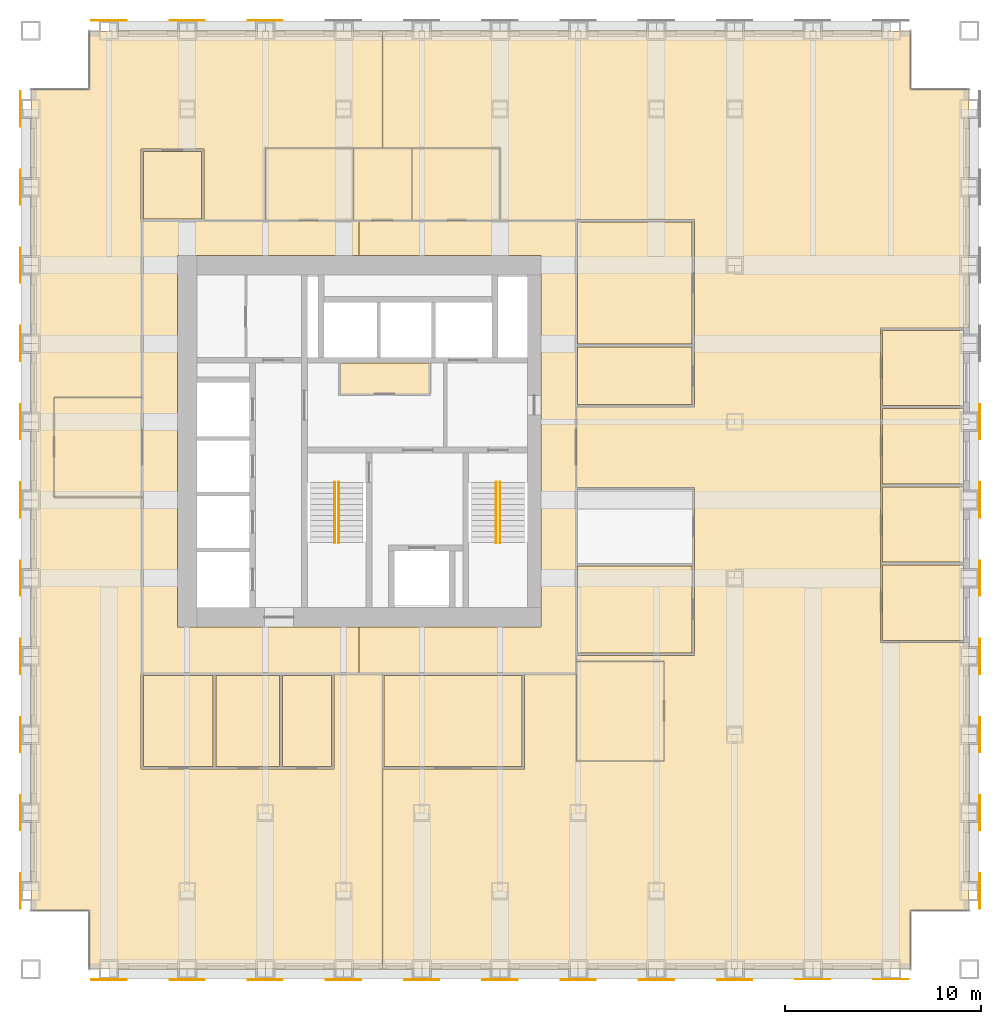
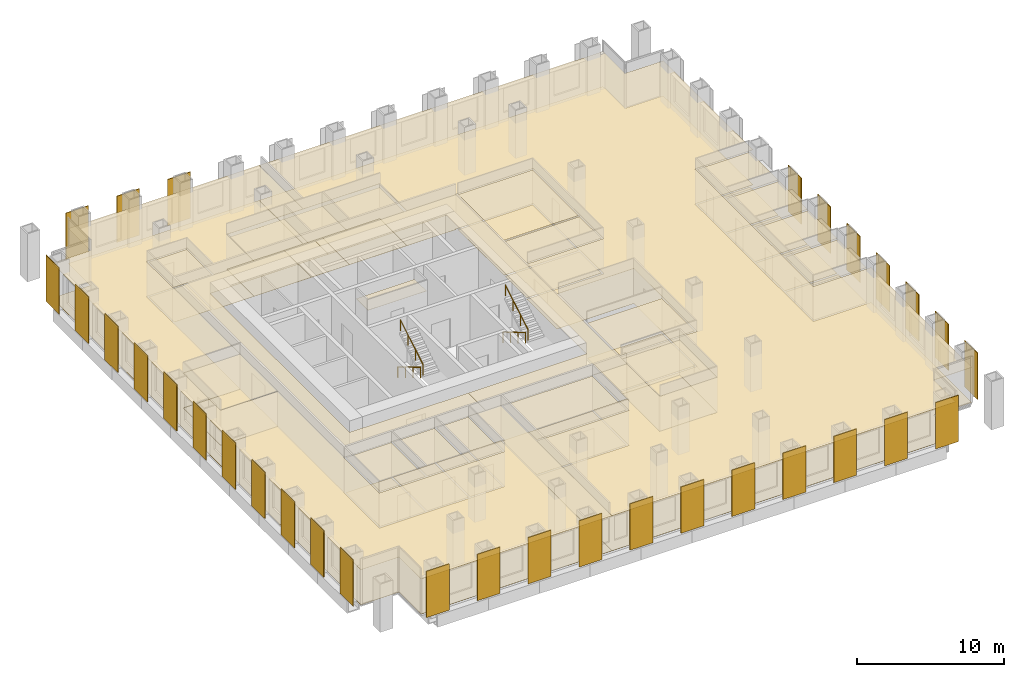
# One storey, part 15 of 16: 41 coverings, 32 shading devices, 4 railings.
"""IFC4 building model written with IfcOpenShell, lengths in metres."""

from ifc_helpers import new_model, si_unit, direction, frame, origin, origin_2d, place, context, subcontext, project, spatial, polyline, rectangle, circle, outline, extrude, material, layer, layer_set, type_object, element, save


model = new_model("IFC4")

# Units and contexts
model_context = context("Model", 3, precision=1e-05, world=origin(), true_north=direction((0.0, 1.0)))
body_context = subcontext(model_context, "Body", "Model", "MODEL_VIEW")
ifc_project = project(units=[si_unit("LENGTHUNIT", "METRE"), si_unit("AREAUNIT", "SQUARE_METRE"), si_unit("VOLUMEUNIT", "CUBIC_METRE"), si_unit("PLANEANGLEUNIT", "RADIAN"), si_unit("MASSUNIT", "GRAM", prefix="KILO")], contexts=[model_context])

# Site, building, storey
site_placement = place(None, origin())
site = spatial("IfcSite", under=ifc_project, at=site_placement, CompositionType="ELEMENT")
building_placement = place(site_placement, origin())
building = spatial("IfcBuilding", under=site, at=building_placement, Name="Rimbunsela Tower", CompositionType="ELEMENT")
storey_placement = place(building_placement, frame((0.0, 0.0, 85.39990234375)))
storey = spatial("IfcBuildingStorey", under=building, at=storey_placement, Name="L20", CompositionType="ELEMENT", Elevation=85.39990234375)

# Coverings
ifc_material_1 = material(Name="Nylon carpet tile", Category="textile")
ifc_layer_1 = layer(ifc_material_1, 0.010009765625)
ifc_layer_set_1 = layer_set([ifc_layer_1], Name="Carpet tile 10")
covering_type_1 = type_object("IfcCoveringType", Name="Carpet tile 10", PredefinedType="FLOORING", material=ifc_layer_set_1)
covering_1_placement = place(storey_placement, origin())
element("IfcCovering", 1, at=covering_1_placement, inside=storey, type_object=covering_type_1, Name="Floor finish Open office", PredefinedType="FLOORING", context=body_context, shape_type="SweptSolid", body=[
    extrude(outline(polyline([(19.449951171875, 10.25), (22.75, 10.25), (22.85009765625, 10.25), (25.5, 10.25), (25.5, 15.10009765625), (27.9990234375, 15.10009765625), (27.9990234375, 0.0), (15.699951171875, 0.0), (13.0, 0.0), (13.0, 3.0), (10.0, 3.0), (10.0, 45.0), (13.0, 45.0), (13.0, 48.0), (15.699951171875, 48.0), (27.9990234375, 48.0), (27.9990234375, 42.0), (22.0, 42.0), (22.0, 38.300048828125), (18.85009765625, 38.300048828125), (18.85009765625, 41.949951171875), (15.699951171875, 41.949951171875), (15.64990234375, 41.949951171875), (15.64990234375, 38.25), (15.699951171875, 38.25), (15.699951171875, 29.25), (11.199951171875, 29.25), (11.199951171875, 24.14990234375), (15.699951171875, 24.14990234375), (15.699951171875, 15.14990234375), (15.64990234375, 15.14990234375), (15.64990234375, 10.25), (15.699951171875, 10.25), (19.35009765625, 10.25), (19.449951171875, 10.25)])), origin(), (0.0, 0.0, 1.0), 0.010009765625),
])
covering_2_placement = place(storey_placement, origin())
element("IfcCovering", 2, at=covering_2_placement, inside=storey, type_object=covering_type_1, Name="Floor finish Open office", PredefinedType="FLOORING", context=body_context, shape_type="SweptSolid", body=[
    extrude(outline(polyline([(37.89990234375, 10.64990234375), (42.39990234375, 10.64990234375), (42.39990234375, 15.75), (37.89990234375, 15.75), (37.89990234375, 16.050048828125), (43.949951171875, 16.050048828125), (43.949951171875, 20.64990234375), (43.949951171875, 20.75), (43.949951171875, 24.64990234375), (37.89990234375, 24.64990234375), (37.89990234375, 28.75), (43.949951171875, 28.75), (43.949951171875, 31.85009765625), (43.949951171875, 31.949951171875), (43.949951171875, 38.35009765625), (37.89990234375, 38.35009765625), (37.85009765625, 38.35009765625), (37.85009765625, 38.300048828125), (34.0, 38.300048828125), (34.0, 42.0), (28.0009765625, 42.0), (28.0009765625, 48.0), (37.89990234375, 48.0), (55.0, 48.0), (55.0, 45.0), (58.0, 45.0), (58.0, 32.800048828125), (53.449951171875, 32.800048828125), (53.449951171875, 28.800048828125), (53.449951171875, 28.699951171875), (53.449951171875, 24.800048828125), (53.449951171875, 24.699951171875), (53.449951171875, 20.800048828125), (53.449951171875, 20.699951171875), (53.449951171875, 16.699951171875), (58.0, 16.699951171875), (58.0, 3.0), (55.0, 3.0), (55.0, 0.0), (37.89990234375, 0.0), (28.0009765625, 0.0), (28.0009765625, 10.25), (35.2509765625, 10.25), (35.2509765625, 15.10009765625), (37.89990234375, 15.10009765625), (37.89990234375, 10.64990234375)])), origin(), (0.0, 0.0, 1.0), 0.010009765625),
])
covering_3_placement = place(storey_placement, origin())
element("IfcCovering", 3, at=covering_3_placement, inside=storey, type_object=covering_type_1, Name="Floor finish Reception", PredefinedType="FLOORING", context=body_context, shape_type="SweptSolid", body=[
    extrude(outline(polyline([(15.699951171875, 24.14990234375), (15.699951171875, 29.25), (11.199951171875, 29.25), (11.199951171875, 24.14990234375), (15.699951171875, 24.14990234375)])), origin(), (0.0, 0.0, 1.0), 0.010009765625),
])
covering_4_placement = place(storey_placement, origin())
element("IfcCovering", 4, at=covering_4_placement, inside=storey, type_object=covering_type_1, Name="Floor finish Reception", PredefinedType="FLOORING", context=body_context, shape_type="SweptSolid", body=[
    extrude(outline(polyline([(42.39990234375, 10.64990234375), (42.39990234375, 15.75), (37.89990234375, 15.75), (37.89990234375, 10.64990234375), (42.39990234375, 10.64990234375)])), origin(), (0.0, 0.0, 1.0), 0.010009765625),
])
covering_5_placement = place(storey_placement, origin())
element("IfcCovering", 5, at=covering_5_placement, inside=storey, type_object=covering_type_1, Name="Floor finish Executive office", PredefinedType="FLOORING", context=body_context, shape_type="SweptSolid", body=[
    extrude(outline(polyline([(57.699951171875, 16.824951171875), (57.699951171875, 20.675048828125), (53.574951171875, 20.675048828125), (53.574951171875, 16.824951171875), (57.699951171875, 16.824951171875)])), origin(), (0.0, 0.0, 1.0), 0.010009765625),
])
covering_6_placement = place(storey_placement, origin())
element("IfcCovering", 6, at=covering_6_placement, inside=storey, type_object=covering_type_1, Name="Floor finish Executive office", PredefinedType="FLOORING", context=body_context, shape_type="SweptSolid", body=[
    extrude(outline(polyline([(57.699951171875, 20.824951171875), (57.699951171875, 24.675048828125), (53.574951171875, 24.675048828125), (53.574951171875, 20.824951171875), (57.699951171875, 20.824951171875)])), origin(), (0.0, 0.0, 1.0), 0.010009765625),
])
covering_7_placement = place(storey_placement, origin())
element("IfcCovering", 7, at=covering_7_placement, inside=storey, type_object=covering_type_1, Name="Floor finish Executive office", PredefinedType="FLOORING", context=body_context, shape_type="SweptSolid", body=[
    extrude(outline(polyline([(57.699951171875, 24.824951171875), (57.699951171875, 28.675048828125), (53.574951171875, 28.675048828125), (53.574951171875, 24.824951171875), (57.699951171875, 24.824951171875)])), origin(), (0.0, 0.0, 1.0), 0.010009765625),
])
covering_8_placement = place(storey_placement, origin())
element("IfcCovering", 8, at=covering_8_placement, inside=storey, type_object=covering_type_1, Name="Floor finish Executive office", PredefinedType="FLOORING", context=body_context, shape_type="SweptSolid", body=[
    extrude(outline(polyline([(57.699951171875, 28.824951171875), (57.699951171875, 32.675048828125), (53.574951171875, 32.675048828125), (53.574951171875, 28.824951171875), (57.699951171875, 28.824951171875)])), origin(), (0.0, 0.0, 1.0), 0.010009765625),
])
covering_9_placement = place(storey_placement, origin())
element("IfcCovering", 9, at=covering_9_placement, inside=storey, type_object=covering_type_1, Name="Floor finish Meeting room", PredefinedType="FLOORING", context=body_context, shape_type="SweptSolid", body=[
    extrude(outline(polyline([(19.324951171875, 10.375), (19.324951171875, 15.02490234375), (15.77490234375, 15.02490234375), (15.77490234375, 10.375), (19.324951171875, 10.375)])), origin(), (0.0, 0.0, 1.0), 0.010009765625),
])
covering_10_placement = place(storey_placement, origin())
element("IfcCovering", 10, at=covering_10_placement, inside=storey, type_object=covering_type_1, Name="Floor finish Pantry", PredefinedType="FLOORING", context=body_context, shape_type="SweptSolid", body=[
    extrude(outline(polyline([(22.72509765625, 10.375), (22.72509765625, 15.02490234375), (19.47509765625, 15.02490234375), (19.47509765625, 10.375), (22.72509765625, 10.375)])), origin(), (0.0, 0.0, 1.0), 0.010009765625),
])
covering_11_placement = place(storey_placement, origin())
element("IfcCovering", 11, at=covering_11_placement, inside=storey, type_object=covering_type_1, Name="Floor finish Print and copy room", PredefinedType="FLOORING", context=body_context, shape_type="SweptSolid", body=[
    extrude(outline(polyline([(25.375, 10.375), (25.375, 15.02490234375), (22.875, 15.02490234375), (22.875, 10.375), (25.375, 10.375)])), origin(), (0.0, 0.0, 1.0), 0.010009765625),
])
covering_12_placement = place(storey_placement, origin())
element("IfcCovering", 12, at=covering_12_placement, inside=storey, type_object=covering_type_1, Name="Floor finish Office", PredefinedType="FLOORING", context=body_context, shape_type="SweptSolid", body=[
    extrude(outline(polyline([(18.72509765625, 38.375), (18.72509765625, 41.824951171875), (15.77490234375, 41.824951171875), (15.77490234375, 38.375), (18.72509765625, 38.375)])), origin(), (0.0, 0.0, 1.0), 0.010009765625),
])
covering_13_placement = place(storey_placement, origin())
element("IfcCovering", 13, at=covering_13_placement, inside=storey, type_object=covering_type_1, Name="Floor finish Boardroom", PredefinedType="FLOORING", context=body_context, shape_type="SweptSolid", body=[
    extrude(outline(polyline([(35.1259765625, 10.375), (35.1259765625, 15.02490234375), (28.075927734375, 15.02490234375), (28.075927734375, 10.375), (35.1259765625, 10.375)])), origin(), (0.0, 0.0, 1.0), 0.010009765625),
])
covering_14_placement = place(storey_placement, origin())
element("IfcCovering", 14, at=covering_14_placement, inside=storey, type_object=covering_type_1, Name="Floor finish Pantry", PredefinedType="FLOORING", context=body_context, shape_type="SweptSolid", body=[
    extrude(outline(polyline([(43.824951171875, 16.175048828125), (43.824951171875, 20.625), (37.97509765625, 20.625), (37.97509765625, 16.175048828125), (43.824951171875, 16.175048828125)])), origin(), (0.0, 0.0, 1.0), 0.010009765625),
])
covering_15_placement = place(storey_placement, origin())
element("IfcCovering", 15, at=covering_15_placement, inside=storey, type_object=covering_type_1, Name="Floor finish Office", PredefinedType="FLOORING", context=body_context, shape_type="SweptSolid", body=[
    extrude(outline(polyline([(43.824951171875, 28.875), (43.824951171875, 31.824951171875), (37.97509765625, 31.824951171875), (37.97509765625, 28.875), (43.824951171875, 28.875)])), origin(), (0.0, 0.0, 1.0), 0.010009765625),
])
covering_16_placement = place(storey_placement, origin())
element("IfcCovering", 16, at=covering_16_placement, inside=storey, type_object=covering_type_1, Name="Floor finish Meeting room", PredefinedType="FLOORING", context=body_context, shape_type="SweptSolid", body=[
    extrude(outline(polyline([(43.824951171875, 31.97509765625), (43.824951171875, 38.22509765625), (37.97509765625, 38.22509765625), (37.97509765625, 31.97509765625), (43.824951171875, 31.97509765625)])), origin(), (0.0, 0.0, 1.0), 0.010009765625),
])
ifc_material_2 = material(Name="Mineral fibre ceiling tile", Category="gypsum")
ifc_layer_2 = layer(ifc_material_2, 0.02001953125)
ifc_layer_set_2 = layer_set([ifc_layer_2], Name="Ceiling 600 grid")
covering_type_2 = type_object("IfcCoveringType", Name="Ceiling 600 grid", PredefinedType="CEILING", material=ifc_layer_set_2)
covering_17_placement = place(storey_placement, frame((0.0, 0.0, 2.900146484375)))
element("IfcCovering", 17, at=covering_17_placement, inside=storey, type_object=covering_type_2, Name="Ceiling Staff pantry", PredefinedType="CEILING", context=body_context, shape_type="SweptSolid", body=[
    extrude(outline(polyline([(30.39990234375, 29.39990234375), (30.39990234375, 31.0), (25.800048828125, 31.0), (25.800048828125, 29.39990234375), (30.39990234375, 29.39990234375)])), origin(), (0.0, 0.0, 1.0), 0.02001953125),
])
covering_18_placement = place(storey_placement, frame((0.0, 0.0, 2.900146484375)))
element("IfcCovering", 18, at=covering_18_placement, inside=storey, type_object=covering_type_2, Name="Ceiling Ring corridor", PredefinedType="CEILING", context=body_context, shape_type="SweptSolid", body=[
    extrude(outline(polyline([(15.699951171875, 38.300048828125), (26.800048828125, 38.300048828125), (26.800048828125, 36.5), (17.5, 36.5), (17.5, 17.5), (26.800048828125, 17.5), (26.800048828125, 15.10009765625), (15.699951171875, 15.10009765625), (15.699951171875, 38.300048828125)])), origin(), (0.0, 0.0, 1.0), 0.02001953125),
])
covering_19_placement = place(storey_placement, frame((0.0, 0.0, 2.900146484375)))
element("IfcCovering", 19, at=covering_19_placement, inside=storey, type_object=covering_type_2, Name="Ceiling Ring corridor", PredefinedType="CEILING", context=body_context, shape_type="SweptSolid", body=[
    extrude(outline(polyline([(37.89990234375, 38.300048828125), (37.89990234375, 15.10009765625), (26.800048828125, 15.10009765625), (26.800048828125, 17.5), (36.10009765625, 17.5), (36.10009765625, 36.5), (26.800048828125, 36.5), (26.800048828125, 38.300048828125), (37.89990234375, 38.300048828125)])), origin(), (0.0, 0.0, 1.0), 0.02001953125),
])
covering_20_placement = place(storey_placement, frame((0.0, 0.0, 2.900146484375)))
element("IfcCovering", 20, at=covering_20_placement, inside=storey, type_object=covering_type_2, Name="Ceiling Open office", PredefinedType="CEILING", context=body_context, shape_type="SweptSolid", body=[
    extrude(outline(polyline([(19.449951171875, 10.25), (22.75, 10.25), (22.85009765625, 10.25), (25.5, 10.25), (25.5, 15.10009765625), (27.9990234375, 15.10009765625), (27.9990234375, 0.0), (15.699951171875, 0.0), (13.0, 0.0), (13.0, 3.0), (10.0, 3.0), (10.0, 45.0), (13.0, 45.0), (13.0, 48.0), (15.699951171875, 48.0), (27.9990234375, 48.0), (27.9990234375, 42.0), (22.0, 42.0), (22.0, 38.300048828125), (18.85009765625, 38.300048828125), (18.85009765625, 41.949951171875), (15.699951171875, 41.949951171875), (15.64990234375, 41.949951171875), (15.64990234375, 38.25), (15.699951171875, 38.25), (15.699951171875, 29.25), (11.199951171875, 29.25), (11.199951171875, 24.14990234375), (15.699951171875, 24.14990234375), (15.699951171875, 15.14990234375), (15.64990234375, 15.14990234375), (15.64990234375, 10.25), (15.699951171875, 10.25), (19.35009765625, 10.25), (19.449951171875, 10.25)])), origin(), (0.0, 0.0, 1.0), 0.02001953125),
])
covering_21_placement = place(storey_placement, frame((0.0, 0.0, 2.900146484375)))
element("IfcCovering", 21, at=covering_21_placement, inside=storey, type_object=covering_type_2, Name="Ceiling Open office", PredefinedType="CEILING", context=body_context, shape_type="SweptSolid", body=[
    extrude(outline(polyline([(37.89990234375, 10.64990234375), (42.39990234375, 10.64990234375), (42.39990234375, 15.75), (37.89990234375, 15.75), (37.89990234375, 16.050048828125), (43.949951171875, 16.050048828125), (43.949951171875, 20.64990234375), (43.949951171875, 20.75), (43.949951171875, 24.64990234375), (37.89990234375, 24.64990234375), (37.89990234375, 28.75), (43.949951171875, 28.75), (43.949951171875, 31.85009765625), (43.949951171875, 31.949951171875), (43.949951171875, 38.35009765625), (37.89990234375, 38.35009765625), (37.85009765625, 38.35009765625), (37.85009765625, 38.300048828125), (34.0, 38.300048828125), (34.0, 42.0), (28.0009765625, 42.0), (28.0009765625, 48.0), (37.89990234375, 48.0), (55.0, 48.0), (55.0, 45.0), (58.0, 45.0), (58.0, 32.800048828125), (53.449951171875, 32.800048828125), (53.449951171875, 28.800048828125), (53.449951171875, 28.699951171875), (53.449951171875, 24.800048828125), (53.449951171875, 24.699951171875), (53.449951171875, 20.800048828125), (53.449951171875, 20.699951171875), (53.449951171875, 16.699951171875), (58.0, 16.699951171875), (58.0, 3.0), (55.0, 3.0), (55.0, 0.0), (37.89990234375, 0.0), (28.0009765625, 0.0), (28.0009765625, 10.25), (35.2509765625, 10.25), (35.2509765625, 15.10009765625), (37.89990234375, 15.10009765625), (37.89990234375, 10.64990234375)])), origin(), (0.0, 0.0, 1.0), 0.02001953125),
])
covering_22_placement = place(storey_placement, frame((0.0, 0.0, 2.900146484375)))
element("IfcCovering", 22, at=covering_22_placement, inside=storey, type_object=covering_type_2, Name="Ceiling Reception", PredefinedType="CEILING", context=body_context, shape_type="SweptSolid", body=[
    extrude(outline(polyline([(15.699951171875, 24.14990234375), (15.699951171875, 29.25), (11.199951171875, 29.25), (11.199951171875, 24.14990234375), (15.699951171875, 24.14990234375)])), origin(), (0.0, 0.0, 1.0), 0.02001953125),
])
covering_23_placement = place(storey_placement, frame((0.0, 0.0, 2.900146484375)))
element("IfcCovering", 23, at=covering_23_placement, inside=storey, type_object=covering_type_2, Name="Ceiling Reception", PredefinedType="CEILING", context=body_context, shape_type="SweptSolid", body=[
    extrude(outline(polyline([(42.39990234375, 10.64990234375), (42.39990234375, 15.75), (37.89990234375, 15.75), (37.89990234375, 10.64990234375), (42.39990234375, 10.64990234375)])), origin(), (0.0, 0.0, 1.0), 0.02001953125),
])
covering_24_placement = place(storey_placement, frame((0.0, 0.0, 2.900146484375)))
element("IfcCovering", 24, at=covering_24_placement, inside=storey, type_object=covering_type_2, Name="Ceiling Executive office", PredefinedType="CEILING", context=body_context, shape_type="SweptSolid", body=[
    extrude(outline(polyline([(57.699951171875, 16.824951171875), (57.699951171875, 20.675048828125), (53.574951171875, 20.675048828125), (53.574951171875, 16.824951171875), (57.699951171875, 16.824951171875)])), origin(), (0.0, 0.0, 1.0), 0.02001953125),
])
covering_25_placement = place(storey_placement, frame((0.0, 0.0, 2.900146484375)))
element("IfcCovering", 25, at=covering_25_placement, inside=storey, type_object=covering_type_2, Name="Ceiling Executive office", PredefinedType="CEILING", context=body_context, shape_type="SweptSolid", body=[
    extrude(outline(polyline([(57.699951171875, 20.824951171875), (57.699951171875, 24.675048828125), (53.574951171875, 24.675048828125), (53.574951171875, 20.824951171875), (57.699951171875, 20.824951171875)])), origin(), (0.0, 0.0, 1.0), 0.02001953125),
])
covering_26_placement = place(storey_placement, frame((0.0, 0.0, 2.900146484375)))
element("IfcCovering", 26, at=covering_26_placement, inside=storey, type_object=covering_type_2, Name="Ceiling Executive office", PredefinedType="CEILING", context=body_context, shape_type="SweptSolid", body=[
    extrude(outline(polyline([(57.699951171875, 24.824951171875), (57.699951171875, 28.675048828125), (53.574951171875, 28.675048828125), (53.574951171875, 24.824951171875), (57.699951171875, 24.824951171875)])), origin(), (0.0, 0.0, 1.0), 0.02001953125),
])
covering_27_placement = place(storey_placement, frame((0.0, 0.0, 2.900146484375)))
element("IfcCovering", 27, at=covering_27_placement, inside=storey, type_object=covering_type_2, Name="Ceiling Executive office", PredefinedType="CEILING", context=body_context, shape_type="SweptSolid", body=[
    extrude(outline(polyline([(57.699951171875, 28.824951171875), (57.699951171875, 32.675048828125), (53.574951171875, 32.675048828125), (53.574951171875, 28.824951171875), (57.699951171875, 28.824951171875)])), origin(), (0.0, 0.0, 1.0), 0.02001953125),
])
covering_28_placement = place(storey_placement, frame((0.0, 0.0, 2.900146484375)))
element("IfcCovering", 28, at=covering_28_placement, inside=storey, type_object=covering_type_2, Name="Ceiling Meeting room", PredefinedType="CEILING", context=body_context, shape_type="SweptSolid", body=[
    extrude(outline(polyline([(19.324951171875, 10.375), (19.324951171875, 15.02490234375), (15.77490234375, 15.02490234375), (15.77490234375, 10.375), (19.324951171875, 10.375)])), origin(), (0.0, 0.0, 1.0), 0.02001953125),
])
covering_29_placement = place(storey_placement, frame((0.0, 0.0, 2.900146484375)))
element("IfcCovering", 29, at=covering_29_placement, inside=storey, type_object=covering_type_2, Name="Ceiling Pantry", PredefinedType="CEILING", context=body_context, shape_type="SweptSolid", body=[
    extrude(outline(polyline([(22.72509765625, 10.375), (22.72509765625, 15.02490234375), (19.47509765625, 15.02490234375), (19.47509765625, 10.375), (22.72509765625, 10.375)])), origin(), (0.0, 0.0, 1.0), 0.02001953125),
])
covering_30_placement = place(storey_placement, frame((0.0, 0.0, 2.900146484375)))
element("IfcCovering", 30, at=covering_30_placement, inside=storey, type_object=covering_type_2, Name="Ceiling Print and copy room", PredefinedType="CEILING", context=body_context, shape_type="SweptSolid", body=[
    extrude(outline(polyline([(25.375, 10.375), (25.375, 15.02490234375), (22.875, 15.02490234375), (22.875, 10.375), (25.375, 10.375)])), origin(), (0.0, 0.0, 1.0), 0.02001953125),
])
covering_31_placement = place(storey_placement, frame((0.0, 0.0, 2.900146484375)))
element("IfcCovering", 31, at=covering_31_placement, inside=storey, type_object=covering_type_2, Name="Ceiling Office", PredefinedType="CEILING", context=body_context, shape_type="SweptSolid", body=[
    extrude(outline(polyline([(18.72509765625, 38.375), (18.72509765625, 41.824951171875), (15.77490234375, 41.824951171875), (15.77490234375, 38.375), (18.72509765625, 38.375)])), origin(), (0.0, 0.0, 1.0), 0.02001953125),
])
covering_32_placement = place(storey_placement, frame((0.0, 0.0, 2.900146484375)))
element("IfcCovering", 32, at=covering_32_placement, inside=storey, type_object=covering_type_2, Name="Ceiling Boardroom", PredefinedType="CEILING", context=body_context, shape_type="SweptSolid", body=[
    extrude(outline(polyline([(35.1259765625, 10.375), (35.1259765625, 15.02490234375), (28.075927734375, 15.02490234375), (28.075927734375, 10.375), (35.1259765625, 10.375)])), origin(), (0.0, 0.0, 1.0), 0.02001953125),
])
covering_33_placement = place(storey_placement, frame((0.0, 0.0, 2.900146484375)))
element("IfcCovering", 33, at=covering_33_placement, inside=storey, type_object=covering_type_2, Name="Ceiling Pantry", PredefinedType="CEILING", context=body_context, shape_type="SweptSolid", body=[
    extrude(outline(polyline([(43.824951171875, 16.175048828125), (43.824951171875, 20.625), (37.97509765625, 20.625), (37.97509765625, 16.175048828125), (43.824951171875, 16.175048828125)])), origin(), (0.0, 0.0, 1.0), 0.02001953125),
])
covering_34_placement = place(storey_placement, frame((0.0, 0.0, 2.900146484375)))
element("IfcCovering", 34, at=covering_34_placement, inside=storey, type_object=covering_type_2, Name="Ceiling Office", PredefinedType="CEILING", context=body_context, shape_type="SweptSolid", body=[
    extrude(outline(polyline([(43.824951171875, 28.875), (43.824951171875, 31.824951171875), (37.97509765625, 31.824951171875), (37.97509765625, 28.875), (43.824951171875, 28.875)])), origin(), (0.0, 0.0, 1.0), 0.02001953125),
])
covering_35_placement = place(storey_placement, frame((0.0, 0.0, 2.900146484375)))
element("IfcCovering", 35, at=covering_35_placement, inside=storey, type_object=covering_type_2, Name="Ceiling Meeting room", PredefinedType="CEILING", context=body_context, shape_type="SweptSolid", body=[
    extrude(outline(polyline([(43.824951171875, 31.97509765625), (43.824951171875, 38.22509765625), (37.97509765625, 38.22509765625), (37.97509765625, 31.97509765625), (43.824951171875, 31.97509765625)])), origin(), (0.0, 0.0, 1.0), 0.02001953125),
])
ifc_material_3 = material(Name="Moisture-resistant plasterboard ceiling", Category="gypsum")
ifc_layer_3 = layer(ifc_material_3, 0.012451171875)
ifc_layer_set_3 = layer_set([ifc_layer_3], Name="Ceiling moisture-resistant board")
covering_type_3 = type_object("IfcCoveringType", Name="Ceiling moisture-resistant board", PredefinedType="CEILING", material=ifc_layer_set_3)
covering_36_placement = place(storey_placement, frame((0.0, 0.0, 2.60009765625)))
element("IfcCovering", 36, at=covering_36_placement, inside=storey, type_object=covering_type_3, Name="Ceiling Female WC", PredefinedType="CEILING", context=body_context, shape_type="SweptSolid", body=[
    extrude(outline(polyline([(26.5, 38.300048828125), (26.5, 42.0), (22.0, 42.0), (22.0, 38.300048828125), (26.5, 38.300048828125)])), origin(), (0.0, 0.0, 1.0), 0.02001953125),
])
covering_37_placement = place(storey_placement, frame((0.0, 0.0, 2.60009765625)))
element("IfcCovering", 37, at=covering_37_placement, inside=storey, type_object=covering_type_3, Name="Ceiling Accessible WC", PredefinedType="CEILING", context=body_context, shape_type="SweptSolid", body=[
    extrude(outline(polyline([(29.5, 38.300048828125), (29.5, 42.0), (26.5, 42.0), (26.5, 38.300048828125), (29.5, 38.300048828125)])), origin(), (0.0, 0.0, 1.0), 0.02001953125),
])
covering_38_placement = place(storey_placement, frame((0.0, 0.0, 2.60009765625)))
element("IfcCovering", 38, at=covering_38_placement, inside=storey, type_object=covering_type_3, Name="Ceiling Male WC", PredefinedType="CEILING", context=body_context, shape_type="SweptSolid", body=[
    extrude(outline(polyline([(34.0, 38.300048828125), (34.0, 42.0), (29.5, 42.0), (29.5, 38.300048828125), (34.0, 38.300048828125)])), origin(), (0.0, 0.0, 1.0), 0.02001953125),
])
ifc_material_4 = material(Name="Porcelain floor tile in adhesive bed", Category="ceramic")
ifc_layer_4 = layer(ifc_material_4, 0.02001953125)
ifc_layer_set_4 = layer_set([ifc_layer_4], Name="Porcelain tile 20")
covering_type_4 = type_object("IfcCoveringType", Name="Porcelain tile 20", PredefinedType="FLOORING", material=ifc_layer_set_4)
covering_39_placement = place(storey_placement, origin())
element("IfcCovering", 39, at=covering_39_placement, inside=storey, type_object=covering_type_4, Name="Floor finish Female WC", PredefinedType="FLOORING", context=body_context, shape_type="SweptSolid", body=[
    extrude(outline(polyline([(26.5, 38.300048828125), (26.5, 42.0), (22.0, 42.0), (22.0, 38.300048828125), (26.5, 38.300048828125)])), origin(), (0.0, 0.0, 1.0), 0.02001953125),
])
covering_40_placement = place(storey_placement, origin())
element("IfcCovering", 40, at=covering_40_placement, inside=storey, type_object=covering_type_4, Name="Floor finish Accessible WC", PredefinedType="FLOORING", context=body_context, shape_type="SweptSolid", body=[
    extrude(outline(polyline([(29.5, 38.300048828125), (29.5, 42.0), (26.5, 42.0), (26.5, 38.300048828125), (29.5, 38.300048828125)])), origin(), (0.0, 0.0, 1.0), 0.02001953125),
])
covering_41_placement = place(storey_placement, origin())
element("IfcCovering", 41, at=covering_41_placement, inside=storey, type_object=covering_type_4, Name="Floor finish Male WC", PredefinedType="FLOORING", context=body_context, shape_type="SweptSolid", body=[
    extrude(outline(polyline([(34.0, 38.300048828125), (34.0, 42.0), (29.5, 42.0), (29.5, 38.300048828125), (34.0, 38.300048828125)])), origin(), (0.0, 0.0, 1.0), 0.02001953125),
])

# Shading devices
ifc_material_5 = material(Name="Perforated aluminium, 35 % open area", Category="aluminium")
ifc_layer_5 = layer(ifc_material_5, 0.050048828125)
ifc_layer_set_5 = layer_set([ifc_layer_5], Name="Solar screen panel 1800")
shading_device_type = type_object("IfcShadingDeviceType", Name="Solar screen panel 1800", PredefinedType="USERDEFINED", material=ifc_layer_set_5)
for number, where, z_axis, x_axis, name in (
    (42, (14.0, -0.52490234375, 0.0), (0.0, 0.0, 1.0), (1.0, 0.0, 0.0), "Solar screen S L20"),
    (43, (18.0, -0.52490234375, 0.0), (0.0, 0.0, 1.0), (1.0, 0.0, 0.0), "Solar screen S L20"),
    (44, (22.0, -0.52490234375, 0.0), (0.0, 0.0, 1.0), (1.0, 0.0, 0.0), "Solar screen S L20"),
    (45, (26.0, -0.52490234375, 0.0), (0.0, 0.0, 1.0), (1.0, 0.0, 0.0), "Solar screen S L20"),
    (46, (30.0, -0.52490234375, 0.0), (0.0, 0.0, 1.0), (1.0, 0.0, 0.0), "Solar screen S L20"),
    (47, (34.0, -0.52490234375, 0.0), (0.0, 0.0, 1.0), (1.0, 0.0, 0.0), "Solar screen S L20"),
    (48, (38.0, -0.52490234375, 0.0), (0.0, 0.0, 1.0), (1.0, 0.0, 0.0), "Solar screen S L20"),
    (49, (42.0, -0.52490234375, 0.0), (0.0, 0.0, 1.0), (1.0, 0.0, 0.0), "Solar screen S L20"),
    (50, (46.0, -0.52490234375, 0.0), (0.0, 0.0, 1.0), (1.0, 0.0, 0.0), "Solar screen S L20"),
    (51, (50.0, -0.52490234375, 0.0), (0.0, 0.0, 1.0), (1.0, 0.0, 0.0), "Solar screen S L20"),
    (52, (54.0, -0.52490234375, 0.0), (0.0, 0.0, 1.0), (1.0, 0.0, 0.0), "Solar screen S L20"),
    (53, (58.52490234375, 4.0, 0.0), (0.0, 0.0, 1.0), (0.0, 1.0, 0.0), "Solar screen E L20"),
    (54, (58.52490234375, 8.0, 0.0), (0.0, 0.0, 1.0), (0.0, 1.0, 0.0), "Solar screen E L20"),
    (55, (58.52490234375, 12.0, 0.0), (0.0, 0.0, 1.0), (0.0, 1.0, 0.0), "Solar screen E L20"),
    (56, (58.52490234375, 16.0, 0.0), (0.0, 0.0, 1.0), (0.0, 1.0, 0.0), "Solar screen E L20"),
    (57, (58.52490234375, 20.0, 0.0), (0.0, 0.0, 1.0), (0.0, 1.0, 0.0), "Solar screen E L20"),
    (58, (58.52490234375, 24.0, 0.0), (0.0, 0.0, 1.0), (0.0, 1.0, 0.0), "Solar screen E L20"),
    (59, (58.52490234375, 28.0, 0.0), (0.0, 0.0, 1.0), (0.0, 1.0, 0.0), "Solar screen E L20"),
    (60, (14.0, 48.52490234375, 0.0), (0.0, 0.0, 1.0), (1.0, 0.0, 0.0), "Solar screen N L20"),
    (61, (18.0, 48.52490234375, 0.0), (0.0, 0.0, 1.0), (1.0, 0.0, 0.0), "Solar screen N L20"),
    (62, (22.0, 48.52490234375, 0.0), (0.0, 0.0, 1.0), (1.0, 0.0, 0.0), "Solar screen N L20"),
    (63, (9.47509765625, 4.0, 0.0), (0.0, 0.0, 1.0), (0.0, 1.0, 0.0), "Solar screen W L20"),
    (64, (9.47509765625, 8.0, 0.0), (0.0, 0.0, 1.0), (0.0, 1.0, 0.0), "Solar screen W L20"),
    (65, (9.47509765625, 12.0, 0.0), (0.0, 0.0, 1.0), (0.0, 1.0, 0.0), "Solar screen W L20"),
    (66, (9.47509765625, 16.0, 0.0), (0.0, 0.0, 1.0), (0.0, 1.0, 0.0), "Solar screen W L20"),
    (67, (9.47509765625, 20.0, 0.0), (0.0, 0.0, 1.0), (0.0, 1.0, 0.0), "Solar screen W L20"),
    (68, (9.47509765625, 24.0, 0.0), (0.0, 0.0, 1.0), (0.0, 1.0, 0.0), "Solar screen W L20"),
    (69, (9.47509765625, 28.0, 0.0), (0.0, 0.0, 1.0), (0.0, 1.0, 0.0), "Solar screen W L20"),
    (70, (9.47509765625, 32.0, 0.0), (0.0, 0.0, 1.0), (0.0, 1.0, 0.0), "Solar screen W L20"),
    (71, (9.47509765625, 36.0, 0.0), (0.0, 0.0, 1.0), (0.0, 1.0, 0.0), "Solar screen W L20"),
    (72, (9.47509765625, 40.0, 0.0), (0.0, 0.0, 1.0), (0.0, 1.0, 0.0), "Solar screen W L20"),
    (73, (9.47509765625, 44.0, 0.0), (0.0, 0.0, 1.0), (0.0, 1.0, 0.0), "Solar screen W L20"),
):
    element("IfcShadingDevice", number, at=place(storey_placement, frame(where, z_axis=z_axis, x_axis=x_axis)), inside=storey, type_object=shading_device_type, Name=name, ObjectType="SCREEN", PredefinedType="USERDEFINED", context=body_context, shape_type="SweptSolid", body=[
        extrude(rectangle(XDim=1.800048828125, YDim=0.050048828125, at=origin_2d()), origin(), (0.0, 0.0, 1.0), 3.85009765625),
    ])

# Railings
ifc_material_6 = material(Name="Stainless steel tube", Category="steel")
railing_type = type_object("IfcRailingType", Name="Stair handrail 900", PredefinedType="HANDRAIL", material=ifc_material_6)
railing_1_placement = place(storey_placement, frame((25.550048828125, 24.89990234375, 0.166748046875)))
element("IfcRailing", 74, at=railing_1_placement, inside=storey, type_object=railing_type, Name="Handrail ST-A flight 1", PredefinedType="HANDRAIL", context=body_context, shape_type="SweptSolid", body=[
    extrude(circle(Radius=0.02392578125, at=origin_2d()), frame((0.0, 0.0, 0.8759765625), z_axis=(0.0, -0.859290745958, 0.51148745235), x_axis=(1.0, 0.0, 0.0)), (0.0, 0.0, 1.0), 3.584228515625),
    extrude(circle(Radius=0.02099609375, at=origin_2d()), origin(), (0.0, 0.0, 1.0), 0.851806640625),
    extrude(circle(Radius=0.02099609375, at=origin_2d()), frame((0.0, -1.026611328125, 0.611083984375)), (0.0, 0.0, 1.0), 0.851806640625),
    extrude(circle(Radius=0.02099609375, at=origin_2d()), frame((0.0, -2.05322265625, 1.22216796875)), (0.0, 0.0, 1.0), 0.851806640625),
    extrude(circle(Radius=0.02099609375, at=origin_2d()), frame((0.0, -3.079833984375, 1.833251953125)), (0.0, 0.0, 1.0), 0.851806640625),
])
railing_2_placement = place(storey_placement, frame((25.75, 21.820068359375, 2.166748046875)))
element("IfcRailing", 75, at=railing_2_placement, inside=storey, type_object=railing_type, Name="Handrail ST-A flight 2", PredefinedType="HANDRAIL", context=body_context, shape_type="SweptSolid", body=[
    extrude(circle(Radius=0.02392578125, at=origin_2d()), frame((0.0, 0.0, 0.8759765625), z_axis=(0.0, 0.859290745958, 0.51148745235), x_axis=(-1.0, 0.0, 0.0)), (0.0, 0.0, 1.0), 3.584228515625),
    extrude(circle(Radius=0.02099609375, at=origin_2d()), origin(), (0.0, 0.0, 1.0), 0.851806640625),
    extrude(circle(Radius=0.02099609375, at=origin_2d()), frame((0.0, 1.026611328125, 0.611083984375)), (0.0, 0.0, 1.0), 0.851806640625),
    extrude(circle(Radius=0.02099609375, at=origin_2d()), frame((0.0, 2.05322265625, 1.22216796875)), (0.0, 0.0, 1.0), 0.851806640625),
    extrude(circle(Radius=0.02099609375, at=origin_2d()), frame((0.0, 3.079833984375, 1.833251953125)), (0.0, 0.0, 1.0), 0.851806640625),
])
railing_3_placement = place(storey_placement, frame((33.800048828125, 24.89990234375, 0.166748046875)))
element("IfcRailing", 76, at=railing_3_placement, inside=storey, type_object=railing_type, Name="Handrail ST-B flight 1", PredefinedType="HANDRAIL", context=body_context, shape_type="SweptSolid", body=[
    extrude(circle(Radius=0.02392578125, at=origin_2d()), frame((0.0, 0.0, 0.8759765625), z_axis=(0.0, -0.859290745958, 0.51148745235), x_axis=(1.0, 0.0, 0.0)), (0.0, 0.0, 1.0), 3.584228515625),
    extrude(circle(Radius=0.02099609375, at=origin_2d()), origin(), (0.0, 0.0, 1.0), 0.851806640625),
    extrude(circle(Radius=0.02099609375, at=origin_2d()), frame((0.0, -1.026611328125, 0.611083984375)), (0.0, 0.0, 1.0), 0.851806640625),
    extrude(circle(Radius=0.02099609375, at=origin_2d()), frame((0.0, -2.05322265625, 1.22216796875)), (0.0, 0.0, 1.0), 0.851806640625),
    extrude(circle(Radius=0.02099609375, at=origin_2d()), frame((0.0, -3.079833984375, 1.833251953125)), (0.0, 0.0, 1.0), 0.851806640625),
])
railing_4_placement = place(storey_placement, frame((34.0, 21.820068359375, 2.166748046875)))
element("IfcRailing", 77, at=railing_4_placement, inside=storey, type_object=railing_type, Name="Handrail ST-B flight 2", PredefinedType="HANDRAIL", context=body_context, shape_type="SweptSolid", body=[
    extrude(circle(Radius=0.02392578125, at=origin_2d()), frame((0.0, 0.0, 0.8759765625), z_axis=(0.0, 0.859290745958, 0.51148745235), x_axis=(-1.0, 0.0, 0.0)), (0.0, 0.0, 1.0), 3.584228515625),
    extrude(circle(Radius=0.02099609375, at=origin_2d()), origin(), (0.0, 0.0, 1.0), 0.851806640625),
    extrude(circle(Radius=0.02099609375, at=origin_2d()), frame((0.0, 1.026611328125, 0.611083984375)), (0.0, 0.0, 1.0), 0.851806640625),
    extrude(circle(Radius=0.02099609375, at=origin_2d()), frame((0.0, 2.05322265625, 1.22216796875)), (0.0, 0.0, 1.0), 0.851806640625),
    extrude(circle(Radius=0.02099609375, at=origin_2d()), frame((0.0, 3.079833984375, 1.833251953125)), (0.0, 0.0, 1.0), 0.851806640625),
])

save(model, "model.ifc")
